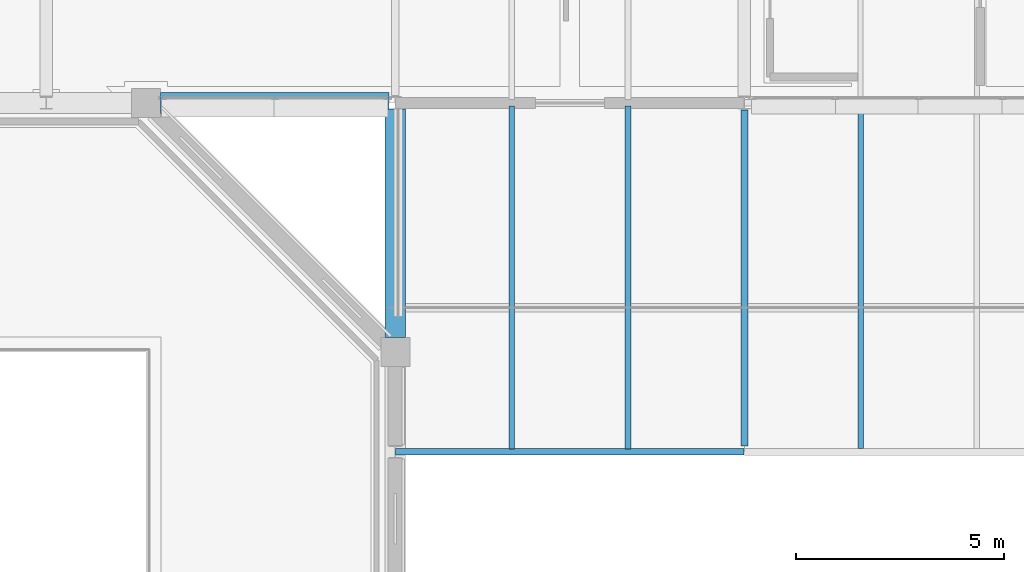
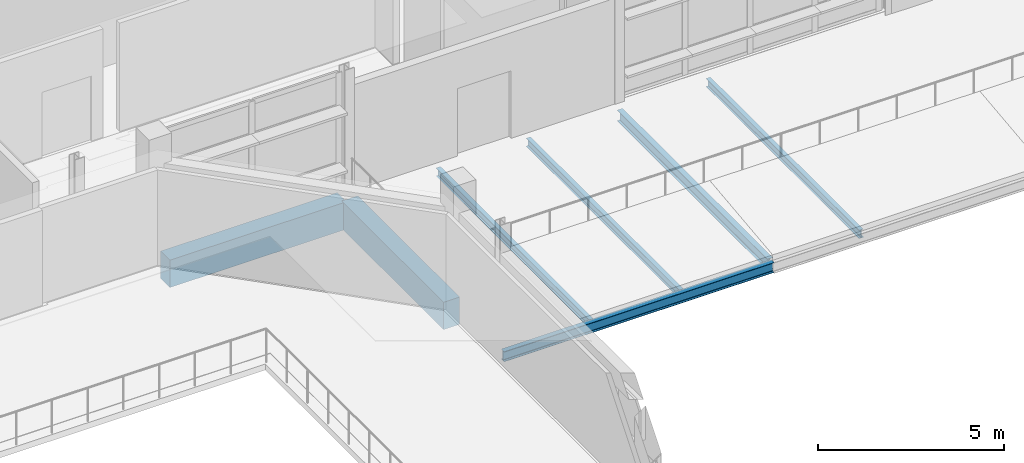
# One storey, part 17 of 151: 7 beams.
"""IFC4 building model written with IfcOpenShell, lengths in metres."""

from ifc_helpers import new_model, si_unit, direction, frame, origin, origin_2d, place, context, subcontext, project, spatial, rectangle, i_section, extrude, material, material_profile, profile_set, type_object, element, save


model = new_model("IFC4")

# Units and contexts
model_context = context("Model", 3, precision=1e-05, world=origin(), true_north=direction((0.0, 1.0)))
body_context = subcontext(model_context, "Body", "Model", "MODEL_VIEW")
ifc_project = project(units=[si_unit("LENGTHUNIT", "METRE"), si_unit("AREAUNIT", "SQUARE_METRE"), si_unit("VOLUMEUNIT", "CUBIC_METRE"), si_unit("PLANEANGLEUNIT", "RADIAN"), si_unit("MASSUNIT", "GRAM", prefix="KILO")], contexts=[model_context])

# Site, building, storey
site_placement = place(None, origin())
site = spatial("IfcSite", under=ifc_project, at=site_placement, CompositionType="ELEMENT")
building_placement = place(site_placement, origin())
building = spatial("IfcBuilding", under=site, at=building_placement, Name="Mersafa Astral City Hall", CompositionType="ELEMENT")
storey_placement = place(building_placement, frame((0.0, 0.0, 9.89990234375)))
storey = spatial("IfcBuildingStorey", under=building, at=storey_placement, Name="L02", CompositionType="ELEMENT", Elevation=9.89990234375)

# Beams
ifc_material_1 = material(Name="Concrete C40/50", Category="concrete")
ifc_material_profile_1 = material_profile(ifc_material_1, rectangle(XDim=0.5, YDim=0.89990234375, at=origin_2d()), Name="RC 500x900")
ifc_profile_set_1 = profile_set([ifc_material_profile_1], Name="Concrete C40/50")
beam_type_1 = type_object("IfcBeamType", Name="STR-BM-DRUM-RC500X900", PredefinedType="BEAM", material=ifc_profile_set_1)
for number, where, z_axis, x_axis, name in (
    (1, (92.39990234375, 19.550048828125, -0.64990234375), (0.0, 1.0, 0.0), (-1.0, 0.0, 0.0), "L02 Chamber E frame tie beam"),
    (2, (86.75, 25.199951171875, -0.64990234375), (1.0, 0.0, 0.0), (0.0, 1.0, 0.0), "L02 Chamber NE foyer tie beam"),
):
    element("IfcBeam", number, at=place(storey_placement, frame(where, z_axis=z_axis, x_axis=x_axis)), inside=storey, type_object=beam_type_1, Name=name, PredefinedType="BEAM", context=body_context, shape_type="SweptSolid", body=[
        extrude(rectangle(XDim=0.5, YDim=0.89990234375, at=origin_2d()), origin(), (0.0, 0.0, 1.0), 5.5),
    ])
ifc_material_2 = material(Name="Steel S355", Category="steel")
ifc_material_profile_2 = material_profile(ifc_material_2, i_section(OverallWidth=0.135009765625, OverallDepth=0.27001953125, WebThickness=0.006591796875, FlangeThickness=0.01025390625, FilletRadius=0.014892578125, at=origin_2d()), Name="IPE 270")
ifc_profile_set_2 = profile_set([ifc_material_profile_2], Name="Steel S355")
beam_type_2 = type_object("IfcBeamType", Name="STR-BM-JOIST-IPE270", PredefinedType="JOIST", material=ifc_profile_set_2)
for number, where, z_axis, x_axis, name in (
    (3, (95.199951171875, 16.875, -0.3349609375), (0.0, 1.0, 0.0), (-1.0, 0.0, 0.0), "L02 Flat roof secondary joist 7"),
    (4, (98.0, 16.875, -0.3349609375), (0.0, 1.0, 0.0), (-1.0, 0.0, 0.0), "L02 Flat roof secondary joist 8"),
    (5, (103.60009765625, 16.8798828125, -0.3349609375), (0.0, 1.0, 0.0), (-1.0, 0.0, 0.0), "L02 Flat roof secondary joist 9"),
):
    element("IfcBeam", number, at=place(storey_placement, frame(where, z_axis=z_axis, x_axis=x_axis)), inside=storey, type_object=beam_type_2, Name=name, PredefinedType="JOIST", context=body_context, shape_type="SweptSolid", body=[
        extrude(i_section(OverallWidth=0.135009765625, OverallDepth=0.27001953125, WebThickness=0.006591796875, FlangeThickness=0.01025390625, FilletRadius=0.014892578125, at=origin_2d()), origin(), (0.0, 0.0, 1.0), 8.2451171875),
    ])
ifc_material_profile_3 = material_profile(ifc_material_2, i_section(OverallWidth=0.159912109375, OverallDepth=0.330078125, WebThickness=0.007568359375, FlangeThickness=0.011474609375, FilletRadius=0.01806640625, at=origin_2d()), Name="IPE 330")
ifc_profile_set_3 = profile_set([ifc_material_profile_3], Name="Steel S355")
beam_type_3 = type_object("IfcBeamType", Name="STR-BM-SPANDREL-IPE330", PredefinedType="SPANDREL", material=ifc_profile_set_3)
beam_1_placement = place(storey_placement, frame((92.403076171875, 16.800048828125, -0.364990234375), z_axis=(1.0, 0.0, 0.0), x_axis=(0.0, 1.0, 0.0)))
element("IfcBeam", 6, at=beam_1_placement, inside=storey, type_object=beam_type_3, Name="L02 Primary girder X 11-2", PredefinedType="SPANDREL", context=body_context, shape_type="SweptSolid", body=[
    extrude(i_section(OverallWidth=0.159912109375, OverallDepth=0.330078125, WebThickness=0.007568359375, FlangeThickness=0.011474609375, FilletRadius=0.01806640625, at=origin_2d()), origin(), (0.0, 0.0, 1.0), 8.39404296875),
])
ifc_material_profile_4 = material_profile(ifc_material_2, i_section(OverallWidth=0.169921875, OverallDepth=0.360107421875, WebThickness=0.008056640625, FlangeThickness=0.0126953125, FilletRadius=0.01806640625, at=origin_2d()), Name="IPE 360")
ifc_profile_set_4 = profile_set([ifc_material_profile_4], Name="Steel S355")
beam_type_4 = type_object("IfcBeamType", Name="STR-BM-SPANDREL-IPE360", PredefinedType="SPANDREL", material=ifc_profile_set_4)
beam_2_placement = place(storey_placement, frame((100.800048828125, 16.945068359375, -0.3798828125), z_axis=(0.0, 1.0, 0.0), x_axis=(-1.0, 0.0, 0.0)))
element("IfcBeam", 7, at=beam_2_placement, inside=storey, type_object=beam_type_4, Name="L02 Primary girder Y 12-2", PredefinedType="SPANDREL", context=body_context, shape_type="SweptSolid", body=[
    extrude(i_section(OverallWidth=0.169921875, OverallDepth=0.360107421875, WebThickness=0.008056640625, FlangeThickness=0.0126953125, FilletRadius=0.01806640625, at=origin_2d()), origin(), (0.0, 0.0, 1.0), 8.08984375),
])

save(model, "model.ifc")
